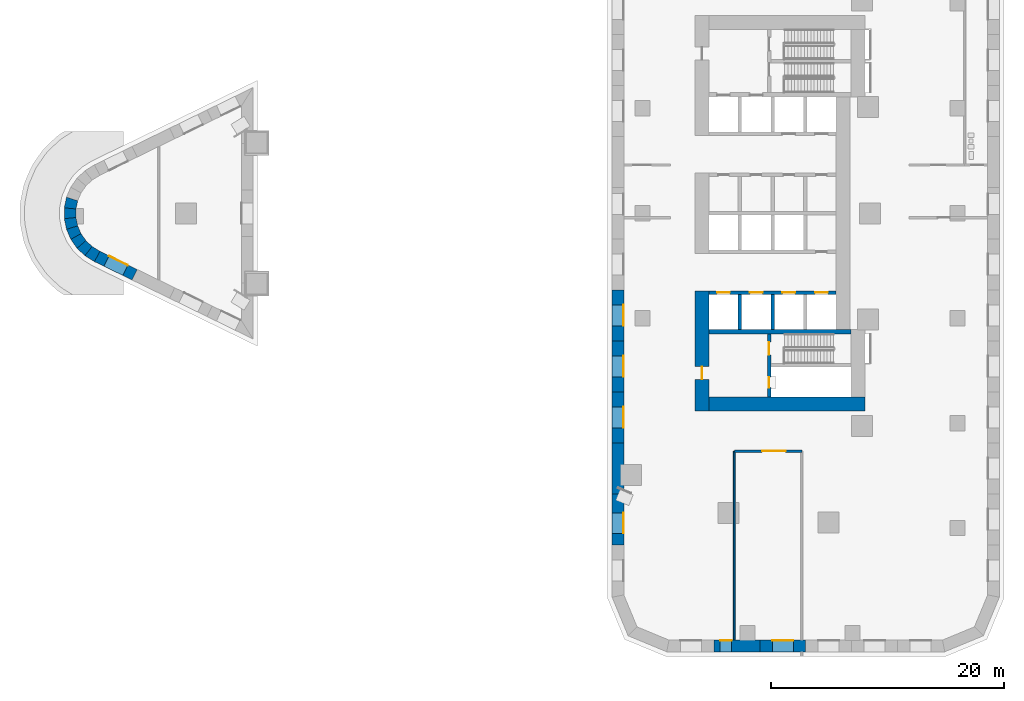
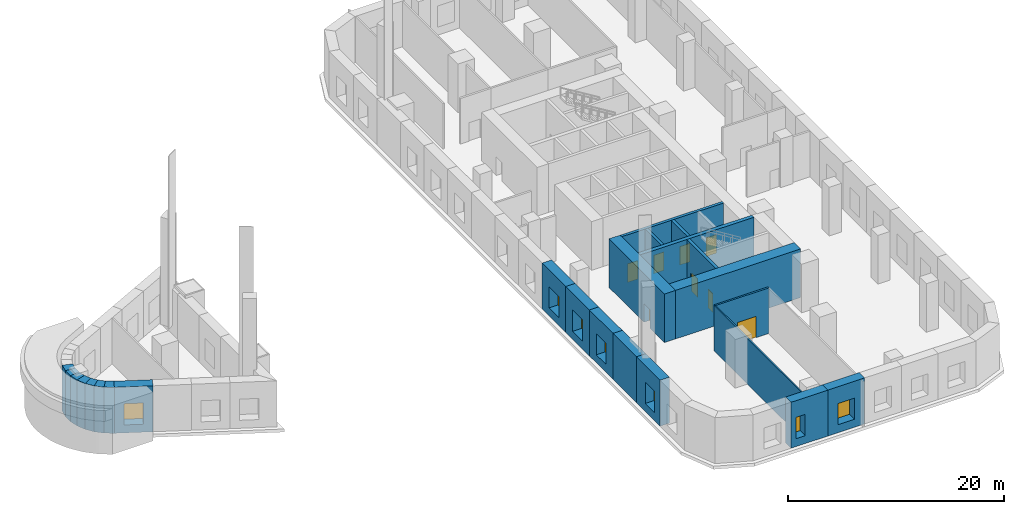
# One storey, part 2 of 12: 24 walls, 8 doors, 7 windows, 15 openings.
"""IFC4 building model written with IfcOpenShell, lengths in metres."""

from ifc_helpers import new_model, si_unit, direction, frame, frame_2d, origin, place, context, subcontext, project, spatial, polyline, rectangle, outline, extrude, material, layer, layer_set, type_object, element, fill, save


model = new_model("IFC4")

# Units and contexts
model_context = context("Model", 3, precision=1e-05, world=origin(), true_north=direction((0.0, 1.0)))
body_context = subcontext(model_context, "Body", "Model", "MODEL_VIEW")
ifc_project = project(units=[si_unit("LENGTHUNIT", "METRE"), si_unit("AREAUNIT", "SQUARE_METRE"), si_unit("VOLUMEUNIT", "CUBIC_METRE"), si_unit("PLANEANGLEUNIT", "RADIAN"), si_unit("MASSUNIT", "GRAM", prefix="KILO")], contexts=[model_context])

# Site, building, storey
site_placement = place(None, origin())
site = spatial("IfcSite", under=ifc_project, at=site_placement, CompositionType="ELEMENT")
building_placement = place(site_placement, origin())
building = spatial("IfcBuilding", under=site, at=building_placement, Name="Ostrand Prow Hotel Tower", CompositionType="ELEMENT")
storey_placement = place(building_placement, frame((0.0, 0.0, 8.0)))
storey = spatial("IfcBuildingStorey", under=building, at=storey_placement, Name="L01", CompositionType="ELEMENT", Elevation=8.0)

# Wall, opening, door
ifc_material_1 = material(Name="Concrete C80/95", Category="concrete")
ifc_layer_1 = layer(ifc_material_1, 1.199951171875)
ifc_layer_set_1 = layer_set([ifc_layer_1], Name="Concrete C80/95")
wall_type_1 = type_object("IfcWallType", Name="Core wall 1200 C80/95", PredefinedType="SHEAR", material=ifc_layer_set_1)
wall_1_placement = place(storey_placement, frame((50.10009765625, -16.949951171875, 0.0), z_axis=(0.0, 0.0, 1.0), x_axis=(0.0, 1.0, 0.0)))
wall_1 = element("IfcWall", 1, at=wall_1_placement, inside=storey, type_object=wall_type_1, Name="Core wall CW-W-S", PredefinedType="SHEAR", context=body_context, shape_type="SweptSolid", body=[
    extrude(rectangle(XDim=10.300048828125, YDim=1.199951171875, at=frame_2d((5.14990234375, 0.0))), origin(), (0.0, 0.0, 1.0), 5.5),
])
opening_1_placement = place(wall_1_placement, frame((2.699951171875, 0.0, 0.0)))
opening_1 = element("IfcOpeningElement", 2, at=opening_1_placement, cuts=wall_1, Name="Opening FD1", PredefinedType="OPENING", context=body_context, shape_type="SweptSolid", body=[
    extrude(rectangle(XDim=1.10009765625, YDim=2.10009765625, at=frame_2d((0.550048828125, 1.050048828125))), frame((0.0, 0.60986328125, 0.0), z_axis=(0.0, -1.0, 0.0), x_axis=(1.0, 0.0, 0.0)), (0.0, 0.0, 1.0), 1.219970703125),
])
ifc_material_2 = material(Name="Steel fire door", Category="steel")
door_type_1 = type_object("IfcDoorType", Name="Fire door 1100 EI120", OperationType="SINGLE_SWING_RIGHT", PredefinedType="DOOR", material=ifc_material_2)
door_1_placement = place(opening_1_placement, origin())
door_1 = element("IfcDoor", 3, at=door_1_placement, inside=storey, type_object=door_type_1, Name="FIRE DOOR", OperationType="SINGLE_SWING_RIGHT", OverallHeight=2.10009765625, OverallWidth=1.10009765625, PredefinedType="DOOR", context=body_context, shape_type="SweptSolid", body=[
    extrude(rectangle(XDim=1.10009765625, YDim=2.10009765625, at=frame_2d((0.550048828125, 1.050048828125))), frame((0.0, 0.02490234375, 0.0), z_axis=(0.0, -1.0, 0.0), x_axis=(1.0, 0.0, 0.0)), (0.0, 0.0, 1.0), 0.050048828125),
])
fill(opening_1, door_1)

# Wall
wall_2_placement = place(storey_placement, frame((50.699951171875, -16.35009765625, 0.0), z_axis=(0.0, 0.0, 1.0), x_axis=(1.0, 0.0, 0.0)))
element("IfcWall", 4, at=wall_2_placement, inside=storey, type_object=wall_type_1, Name="Core wall CW-S", PredefinedType="SHEAR", context=body_context, shape_type="SweptSolid", body=[
    extrude(rectangle(XDim=13.380126953125, YDim=1.199951171875, at=frame_2d((6.68994140625, 0.0))), origin(), (0.0, 0.0, 1.0), 5.5),
])

# Wall, openings, doors
ifc_material_3 = material(Name="Concrete C80/95", Category="concrete")
ifc_layer_2 = layer(ifc_material_3, 0.300048828125)
ifc_layer_set_2 = layer_set([ifc_layer_2], Name="Concrete C80/95")
wall_type_2 = type_object("IfcWallType", Name="Core wall 300 C80/95", PredefinedType="SHEAR", material=ifc_layer_set_2)
wall_3_placement = place(storey_placement, frame((50.699951171875, -6.800048828125, 0.0), z_axis=(0.0, 0.0, 1.0), x_axis=(1.0, 0.0, 0.0)))
wall_3 = element("IfcWall", 5, at=wall_3_placement, inside=storey, type_object=wall_type_2, Name="Core wall PW-L2-S", PredefinedType="SHEAR", context=body_context, shape_type="SweptSolid", body=[
    extrude(rectangle(XDim=10.900146484375, YDim=0.300048828125, at=frame_2d((5.4501953125, 0.0))), origin(), (0.0, 0.0, 1.0), 5.5),
])
opening_2_placement = place(wall_3_placement, frame((0.699951171875, 0.0, 0.0)))
opening_2 = element("IfcOpeningElement", 6, at=opening_2_placement, cuts=wall_3, Name="Opening LD", PredefinedType="OPENING", context=body_context, shape_type="SweptSolid", body=[
    extrude(rectangle(XDim=1.10009765625, YDim=2.10009765625, at=frame_2d((0.550048828125, 1.050048828125))), frame((0.0, 0.159912109375, 0.0), z_axis=(0.0, -1.0, 0.0), x_axis=(1.0, 0.0, 0.0)), (0.0, 0.0, 1.0), 0.320068359375),
])
opening_3_placement = place(wall_3_placement, frame((3.5, 0.0, 0.0)))
opening_3 = element("IfcOpeningElement", 7, at=opening_3_placement, cuts=wall_3, Name="Opening LD", PredefinedType="OPENING", context=body_context, shape_type="SweptSolid", body=[
    extrude(rectangle(XDim=1.10009765625, YDim=2.10009765625, at=frame_2d((0.550048828125, 1.050048828125))), frame((0.0, 0.159912109375, 0.0), z_axis=(0.0, -1.0, 0.0), x_axis=(1.0, 0.0, 0.0)), (0.0, 0.0, 1.0), 0.320068359375),
])
opening_4_placement = place(wall_3_placement, frame((6.300048828125, 0.0, 0.0)))
opening_4 = element("IfcOpeningElement", 8, at=opening_4_placement, cuts=wall_3, Name="Opening LD", PredefinedType="OPENING", context=body_context, shape_type="SweptSolid", body=[
    extrude(rectangle(XDim=1.10009765625, YDim=2.10009765625, at=frame_2d((0.550048828125, 1.050048828125))), frame((0.0, 0.159912109375, 0.0), z_axis=(0.0, -1.0, 0.0), x_axis=(1.0, 0.0, 0.0)), (0.0, 0.0, 1.0), 0.320068359375),
])
opening_5_placement = place(wall_3_placement, frame((9.10009765625, 0.0, 0.0)))
opening_5 = element("IfcOpeningElement", 9, at=opening_5_placement, cuts=wall_3, Name="Opening LD", PredefinedType="OPENING", context=body_context, shape_type="SweptSolid", body=[
    extrude(rectangle(XDim=1.10009765625, YDim=2.10009765625, at=frame_2d((0.550048828125, 1.050048828125))), frame((0.0, 0.159912109375, 0.0), z_axis=(0.0, -1.0, 0.0), x_axis=(1.0, 0.0, 0.0)), (0.0, 0.0, 1.0), 0.320068359375),
])
ifc_material_4 = material(Name="Stainless steel door", Category="steel")
door_type_2 = type_object("IfcDoorType", Name="Lift landing door 1100", OperationType="DOUBLE_DOOR_SLIDING", PredefinedType="DOOR", material=ifc_material_4)
door_2_placement = place(opening_2_placement, origin())
door_2 = element("IfcDoor", 10, at=door_2_placement, inside=storey, type_object=door_type_2, Name="LIFT LANDING DOOR", OperationType="DOUBLE_DOOR_SLIDING", OverallHeight=2.10009765625, OverallWidth=1.10009765625, PredefinedType="DOOR", context=body_context, shape_type="SweptSolid", body=[
    extrude(rectangle(XDim=1.10009765625, YDim=2.10009765625, at=frame_2d((0.550048828125, 1.050048828125))), frame((0.0, 0.02490234375, 0.0), z_axis=(0.0, -1.0, 0.0), x_axis=(1.0, 0.0, 0.0)), (0.0, 0.0, 1.0), 0.050048828125),
])
fill(opening_2, door_2)
door_3_placement = place(opening_3_placement, origin())
door_3 = element("IfcDoor", 11, at=door_3_placement, inside=storey, type_object=door_type_2, Name="LIFT LANDING DOOR", OperationType="DOUBLE_DOOR_SLIDING", OverallHeight=2.10009765625, OverallWidth=1.10009765625, PredefinedType="DOOR", context=body_context, shape_type="SweptSolid", body=[
    extrude(rectangle(XDim=1.10009765625, YDim=2.10009765625, at=frame_2d((0.550048828125, 1.050048828125))), frame((0.0, 0.02490234375, 0.0), z_axis=(0.0, -1.0, 0.0), x_axis=(1.0, 0.0, 0.0)), (0.0, 0.0, 1.0), 0.050048828125),
])
fill(opening_3, door_3)
door_4_placement = place(opening_4_placement, origin())
door_4 = element("IfcDoor", 12, at=door_4_placement, inside=storey, type_object=door_type_2, Name="LIFT LANDING DOOR", OperationType="DOUBLE_DOOR_SLIDING", OverallHeight=2.10009765625, OverallWidth=1.10009765625, PredefinedType="DOOR", context=body_context, shape_type="SweptSolid", body=[
    extrude(rectangle(XDim=1.10009765625, YDim=2.10009765625, at=frame_2d((0.550048828125, 1.050048828125))), frame((0.0, 0.02490234375, 0.0), z_axis=(0.0, -1.0, 0.0), x_axis=(1.0, 0.0, 0.0)), (0.0, 0.0, 1.0), 0.050048828125),
])
fill(opening_4, door_4)
door_5_placement = place(opening_5_placement, origin())
door_5 = element("IfcDoor", 13, at=door_5_placement, inside=storey, type_object=door_type_2, Name="LIFT LANDING DOOR", OperationType="DOUBLE_DOOR_SLIDING", OverallHeight=2.10009765625, OverallWidth=1.10009765625, PredefinedType="DOOR", context=body_context, shape_type="SweptSolid", body=[
    extrude(rectangle(XDim=1.10009765625, YDim=2.10009765625, at=frame_2d((0.550048828125, 1.050048828125))), frame((0.0, 0.02490234375, 0.0), z_axis=(0.0, -1.0, 0.0), x_axis=(1.0, 0.0, 0.0)), (0.0, 0.0, 1.0), 0.050048828125),
])
fill(opening_5, door_5)

# Walls
for number, where, z_axis, x_axis, name in (
    (14, (53.35009765625, -9.949951171875, 0.0), (0.0, 0.0, 1.0), (0.0, 1.0, 0.0), "Core wall PW-R1-SA"),
    (15, (56.14990234375, -9.949951171875, 0.0), (0.0, 0.0, 1.0), (0.0, 1.0, 0.0), "Core wall PW-R2-SA"),
):
    element("IfcWall", number, at=place(storey_placement, frame(where, z_axis=z_axis, x_axis=x_axis)), inside=storey, type_object=wall_type_2, Name=name, PredefinedType="SHEAR", context=body_context, shape_type="SweptSolid", body=[
        extrude(rectangle(XDim=3.0, YDim=0.300048828125, at=frame_2d((1.5, 0.0))), origin(), (0.0, 0.0, 1.0), 5.5),
    ])

# Wall, openings, doors
wall_4_placement = place(storey_placement, frame((55.85009765625, -15.75, 0.0), z_axis=(0.0, 0.0, 1.0), x_axis=(0.0, 1.0, 0.0)))
wall_4 = element("IfcWall", 16, at=wall_4_placement, inside=storey, type_object=wall_type_2, Name="Core wall PW-VS", PredefinedType="SHEAR", context=body_context, shape_type="SweptSolid", body=[
    extrude(rectangle(XDim=5.39990234375, YDim=0.300048828125, at=frame_2d((2.699951171875, 0.0))), origin(), (0.0, 0.0, 1.0), 5.5),
])
opening_6_placement = place(wall_4_placement, frame((3.60009765625, 0.0, 0.0)))
opening_6 = element("IfcOpeningElement", 17, at=opening_6_placement, cuts=wall_4, Name="Opening FD1", PredefinedType="OPENING", context=body_context, shape_type="SweptSolid", body=[
    extrude(rectangle(XDim=1.10009765625, YDim=2.10009765625, at=frame_2d((0.550048828125, 1.050048828125))), frame((0.0, 0.159912109375, 0.0), z_axis=(0.0, -1.0, 0.0), x_axis=(1.0, 0.0, 0.0)), (0.0, 0.0, 1.0), 0.320068359375),
])
opening_7_placement = place(wall_4_placement, frame((0.800048828125, 0.0, 0.0)))
opening_7 = element("IfcOpeningElement", 18, at=opening_7_placement, cuts=wall_4, Name="Opening FD2", PredefinedType="OPENING", context=body_context, shape_type="SweptSolid", body=[
    extrude(rectangle(XDim=0.89990234375, YDim=2.10009765625, at=frame_2d((0.449951171875, 1.050048828125))), frame((0.0, 0.159912109375, 0.0), z_axis=(0.0, -1.0, 0.0), x_axis=(1.0, 0.0, 0.0)), (0.0, 0.0, 1.0), 0.320068359375),
])
door_6_placement = place(opening_6_placement, origin())
door_6 = element("IfcDoor", 19, at=door_6_placement, inside=storey, type_object=door_type_1, Name="FIRE DOOR", OperationType="SINGLE_SWING_RIGHT", OverallHeight=2.10009765625, OverallWidth=1.10009765625, PredefinedType="DOOR", context=body_context, shape_type="SweptSolid", body=[
    extrude(rectangle(XDim=1.10009765625, YDim=2.10009765625, at=frame_2d((0.550048828125, 1.050048828125))), frame((0.0, 0.02490234375, 0.0), z_axis=(0.0, -1.0, 0.0), x_axis=(1.0, 0.0, 0.0)), (0.0, 0.0, 1.0), 0.050048828125),
])
fill(opening_6, door_6)
ifc_material_5 = material(Name="Steel fire door", Category="steel")
door_type_3 = type_object("IfcDoorType", Name="Fire door 900 EI120", OperationType="SINGLE_SWING_LEFT", PredefinedType="DOOR", material=ifc_material_5)
door_7_placement = place(opening_7_placement, origin())
door_7 = element("IfcDoor", 20, at=door_7_placement, inside=storey, type_object=door_type_3, Name="FIRE DOOR", OperationType="SINGLE_SWING_LEFT", OverallHeight=2.10009765625, OverallWidth=0.89990234375, PredefinedType="DOOR", context=body_context, shape_type="SweptSolid", body=[
    extrude(rectangle(XDim=0.89990234375, YDim=2.10009765625, at=frame_2d((0.449951171875, 1.050048828125))), frame((0.0, 0.02490234375, 0.0), z_axis=(0.0, -1.0, 0.0), x_axis=(1.0, 0.0, 0.0)), (0.0, 0.0, 1.0), 0.050048828125),
])
fill(opening_7, door_7)

# Walls
ifc_material_6 = material(Name="Concrete C80/95", Category="concrete")
ifc_layer_3 = layer(ifc_material_6, 0.39990234375)
ifc_layer_set_3 = layer_set([ifc_layer_3], Name="Concrete C80/95")
wall_type_3 = type_object("IfcWallType", Name="Core wall 400 C80/95", PredefinedType="SHEAR", material=ifc_layer_set_3)
wall_5_placement = place(storey_placement, frame((50.699951171875, -10.14990234375, 0.0), z_axis=(0.0, 0.0, 1.0), x_axis=(1.0, 0.0, 0.0)))
element("IfcWall", 21, at=wall_5_placement, inside=storey, type_object=wall_type_3, Name="Core wall PW-BS", PredefinedType="SHEAR", context=body_context, shape_type="SweptSolid", body=[
    extrude(rectangle(XDim=12.179931640625, YDim=0.39990234375, at=frame_2d((6.08984375, 0.0))), origin(), (0.0, 0.0, 1.0), 5.5),
])
ifc_material_7 = material(Name="Plasterboard partition")
ifc_layer_4 = layer(ifc_material_7, 0.14990234375)
ifc_layer_set_4 = layer_set([ifc_layer_4], Name="Plasterboard partition")
wall_type_4 = type_object("IfcWallType", Name="Partition 150 room partition", PredefinedType="PARTITIONING", material=ifc_layer_set_4)
wall_6_placement = place(storey_placement, frame((52.8798828125, -36.570068359375, 0.0), z_axis=(0.0, 0.0, 1.0), x_axis=(0.0, 1.0, 0.0)))
element("IfcWall", 22, at=wall_6_placement, inside=storey, type_object=wall_type_4, Name="ROOM PARTITION", PredefinedType="PARTITIONING", context=body_context, shape_type="SweptSolid", body=[
    extrude(rectangle(XDim=16.170166015625, YDim=0.14990234375, at=frame_2d((8.0849609375, 0.0))), origin(), (0.0, 0.0, 1.0), 5.14990234375),
])

# Wall, opening, door
ifc_material_8 = material(Name="Plasterboard partition")
ifc_layer_5 = layer(ifc_material_8, 0.199951171875)
ifc_layer_set_5 = layer_set([ifc_layer_5], Name="Plasterboard partition")
wall_type_5 = type_object("IfcWallType", Name="Partition 200 corridor wall", PredefinedType="PARTITIONING", material=ifc_layer_set_5)
wall_7_placement = place(storey_placement, frame((52.8798828125, -20.39990234375, 0.0), z_axis=(0.0, 0.0, 1.0), x_axis=(1.0, 0.0, 0.0)))
wall_7 = element("IfcWall", 23, at=wall_7_placement, inside=storey, type_object=wall_type_5, Name="CORRIDOR WALL", PredefinedType="PARTITIONING", context=body_context, shape_type="SweptSolid", body=[
    extrude(rectangle(XDim=5.780029296875, YDim=0.199951171875, at=frame_2d((2.89013671875, 0.0))), origin(), (0.0, 0.0, 1.0), 5.14990234375),
])
opening_8_placement = place(wall_7_placement, frame((2.389892578125, 0.0, 0.0)))
opening_8 = element("IfcOpeningElement", 24, at=opening_8_placement, cuts=wall_7, Name="Opening D20", PredefinedType="OPENING", context=body_context, shape_type="SweptSolid", body=[
    extrude(rectangle(XDim=2.0, YDim=2.39990234375, at=frame_2d((1.0, 1.199951171875))), frame((0.0, 0.10986328125, 0.0), z_axis=(0.0, -1.0, 0.0), x_axis=(1.0, 0.0, 0.0)), (0.0, 0.0, 1.0), 0.219970703125),
])
ifc_material_9 = material(Name="Timber door leaf", Category="wood")
door_type_4 = type_object("IfcDoorType", Name="Double door 2000", OperationType="DOUBLE_DOOR_SINGLE_SWING", PredefinedType="DOOR", material=ifc_material_9)
door_8_placement = place(opening_8_placement, origin())
door_8 = element("IfcDoor", 25, at=door_8_placement, inside=storey, type_object=door_type_4, Name="DOOR", OperationType="DOUBLE_DOOR_SINGLE_SWING", OverallHeight=2.39990234375, OverallWidth=2.0, PredefinedType="DOOR", context=body_context, shape_type="SweptSolid", body=[
    extrude(rectangle(XDim=2.0, YDim=2.39990234375, at=frame_2d((1.0, 1.199951171875))), frame((0.0, 0.02490234375, 0.0), z_axis=(0.0, -1.0, 0.0), x_axis=(1.0, 0.0, 0.0)), (0.0, 0.0, 1.0), 0.050048828125),
])
fill(opening_8, door_8)

# Walls
ifc_material_10 = material(Name="Precast concrete C40/50", Category="concrete")
ifc_layer_6 = layer(ifc_material_10, 1.0)
ifc_layer_set_6 = layer_set([ifc_layer_6], Name="Precast concrete C40/50")
wall_type_6 = type_object("IfcWallType", Name="Portal pier wall 1000 mm", PredefinedType="NOTDEFINED", material=ifc_layer_set_6)
wall_8_placement = place(storey_placement, frame((-3.90673828125, 1.228515625, 0.0), z_axis=(0.0, 0.0, 1.0), x_axis=(-0.201710996138, -0.979445084748, 0.0)))
element("IfcWall", 26, at=wall_8_placement, inside=storey, type_object=wall_type_6, Name="Portal pier wall L01-PP013", PredefinedType="NOTDEFINED", context=body_context, shape_type="SweptSolid", body=[
    extrude(outline(polyline([(-0.051025390625, -0.5), (0.88134765625, -0.5), (0.779296875, 0.5), (0.051025390625, 0.5), (-0.051025390625, -0.5)])), origin(), (0.0, 0.0, 1.0), 5.199951171875),
])
wall_9_placement = place(storey_placement, frame((-4.07421875, 0.415283203125, 0.0), z_axis=(0.0, 0.0, 1.0), x_axis=(0.0, -1.0, 0.0)))
element("IfcWall", 27, at=wall_9_placement, inside=storey, type_object=wall_type_6, Name="Portal pier wall L01-PP014", PredefinedType="NOTDEFINED", context=body_context, shape_type="SweptSolid", body=[
    extrude(outline(polyline([(-0.051025390625, -0.5), (0.881591796875, -0.5), (0.779541015625, 0.5), (0.051025390625, 0.5), (-0.051025390625, -0.5)])), origin(), (0.0, 0.0, 1.0), 5.199951171875),
])
wall_10_placement = place(storey_placement, frame((-4.07421875, -0.415283203125, 0.0), z_axis=(0.0, 0.0, 1.0), x_axis=(0.201710996138, -0.979445084748, 0.0)))
element("IfcWall", 28, at=wall_10_placement, inside=storey, type_object=wall_type_6, Name="Portal pier wall L01-PP015", PredefinedType="NOTDEFINED", context=body_context, shape_type="SweptSolid", body=[
    extrude(outline(polyline([(-0.051025390625, -0.5), (0.88134765625, -0.5), (0.779296875, 0.5), (0.051025390625, 0.5), (-0.051025390625, -0.5)])), origin(), (0.0, 0.0, 1.0), 5.199951171875),
])
wall_11_placement = place(storey_placement, frame((-3.90673828125, -1.228515625, 0.0), z_axis=(0.0, 0.0, 1.0), x_axis=(0.395089773053, -0.91864251547, 0.0)))
element("IfcWall", 29, at=wall_11_placement, inside=storey, type_object=wall_type_6, Name="Portal pier wall L01-PP016", PredefinedType="NOTDEFINED", context=body_context, shape_type="SweptSolid", body=[
    extrude(outline(polyline([(-0.051025390625, -0.5), (0.881591796875, -0.5), (0.779541015625, 0.5), (0.051025390625, 0.5), (-0.051025390625, -0.5)])), origin(), (0.0, 0.0, 1.0), 5.199951171875),
])
wall_12_placement = place(storey_placement, frame((-3.57861328125, -1.991455078125, 0.0), z_axis=(0.0, 0.0, 1.0), x_axis=(0.572416108775, -0.819963290895, 0.0)))
element("IfcWall", 30, at=wall_12_placement, inside=storey, type_object=wall_type_6, Name="Portal pier wall L01-PP017", PredefinedType="NOTDEFINED", context=body_context, shape_type="SweptSolid", body=[
    extrude(outline(polyline([(-0.051025390625, -0.5), (0.88134765625, -0.5), (0.779296875, 0.5), (0.051025390625, 0.5), (-0.051025390625, -0.5)])), origin(), (0.0, 0.0, 1.0), 5.199951171875),
])
wall_13_placement = place(storey_placement, frame((-3.103271484375, -2.67236328125, 0.0), z_axis=(0.0, 0.0, 1.0), x_axis=(0.726099436492, -0.687589709293, 0.0)))
element("IfcWall", 31, at=wall_13_placement, inside=storey, type_object=wall_type_6, Name="Portal pier wall L01-PP018", PredefinedType="NOTDEFINED", context=body_context, shape_type="SweptSolid", body=[
    extrude(outline(polyline([(-0.051025390625, -0.5), (0.881591796875, -0.5), (0.779541015625, 0.5), (0.051025390625, 0.5), (-0.051025390625, -0.5)])), origin(), (0.0, 0.0, 1.0), 5.199951171875),
])
wall_14_placement = place(storey_placement, frame((-2.500244140625, -3.243408203125, 0.0), z_axis=(0.0, 0.0, 1.0), x_axis=(0.849777890555, -0.527140907846, 0.0)))
element("IfcWall", 32, at=wall_14_placement, inside=storey, type_object=wall_type_6, Name="Portal pier wall L01-PP019", PredefinedType="NOTDEFINED", context=body_context, shape_type="SweptSolid", body=[
    extrude(outline(polyline([(-0.051025390625, -0.5), (0.901611328125, -0.5), (0.850830078125, 0.5), (0.051025390625, 0.5), (-0.051025390625, -0.5)])), origin(), (0.0, 0.0, 1.0), 5.199951171875),
])

# Wall, opening, window
wall_15_placement = place(storey_placement, frame((-1.755615234375, -3.705322265625, 0.0), z_axis=(0.0, 0.0, 1.0), x_axis=(0.898874723623, -0.438205695117, 0.0)))
wall_15 = element("IfcWall", 33, at=wall_15_placement, inside=storey, type_object=wall_type_6, Name="Portal pier wall L01-PP020", PredefinedType="NOTDEFINED", context=body_context, shape_type="SweptSolid", body=[
    extrude(outline(polyline([(-0.025390625, -0.5), (3.57568359375, -0.5), (3.57568359375, 0.5), (0.025390625, 0.5), (-0.025390625, -0.5)])), origin(), (0.0, 0.0, 1.0), 5.199951171875),
])
opening_9_placement = place(wall_15_placement, frame((0.8876953125, 0.0, 0.89990234375)))
opening_9 = element("IfcOpeningElement", 34, at=opening_9_placement, cuts=wall_15, Name="Opening WP2", PredefinedType="OPENING", context=body_context, shape_type="SweptSolid", body=[
    extrude(rectangle(XDim=1.800048828125, YDim=2.39990234375, at=frame_2d((0.89990234375, 1.199951171875))), frame((0.0, 0.510009765625, 0.0), z_axis=(0.0, -1.0, 0.0), x_axis=(1.0, 0.0, 0.0)), (0.0, 0.0, 1.0), 1.02001953125),
])
ifc_material_11 = material(Name="Insulated glass in bronze anodised frame", Category="glass")
window_type = type_object("IfcWindowType", Name="Portal window 1800x2400", PartitioningType="SINGLE_PANEL", PredefinedType="WINDOW", material=ifc_material_11)
window_1_placement = place(opening_9_placement, origin())
window_1 = element("IfcWindow", 35, at=window_1_placement, inside=storey, type_object=window_type, Name="Portal window L01-PP020", OverallHeight=2.39990234375, OverallWidth=1.800048828125, PartitioningType="SINGLE_PANEL", PredefinedType="WINDOW", context=body_context, shape_type="SweptSolid", body=[
    extrude(rectangle(XDim=1.800048828125, YDim=2.39990234375, at=frame_2d((0.89990234375, 1.199951171875))), frame((0.0, 0.5, 0.0), z_axis=(0.0, -1.0, 0.0), x_axis=(1.0, 0.0, 0.0)), (0.0, 0.0, 1.0), 0.06005859375),
])
fill(opening_9, window_1)

wall_16_placement = place(storey_placement, frame((51.119384765625, -37.10009765625, 0.0), z_axis=(0.0, 0.0, 1.0), x_axis=(1.0, 0.0, 0.0)))
wall_16 = element("IfcWall", 36, at=wall_16_placement, inside=storey, type_object=wall_type_6, Name="Portal pier wall L01-PP101", PredefinedType="NOTDEFINED", context=body_context, shape_type="SweptSolid", body=[
    extrude(outline(polyline([(0.0, -0.5), (3.9404296875, -0.5), (3.9404296875, 0.5), (0.0, 0.5), (0.0, -0.5)])), origin(), (0.0, 0.0, 1.0), 5.199951171875),
])
opening_10_placement = place(wall_16_placement, frame((0.5400390625, 0.0, 0.89990234375)))
opening_10 = element("IfcOpeningElement", 37, at=opening_10_placement, cuts=wall_16, Name="Opening WP2", PredefinedType="OPENING", context=body_context, shape_type="SweptSolid", body=[
    extrude(rectangle(XDim=0.980712890625, YDim=2.39990234375, at=frame_2d((0.490234375, 1.199951171875))), frame((0.0, 0.510009765625, 0.0), z_axis=(0.0, -1.0, 0.0), x_axis=(1.0, 0.0, 0.0)), (0.0, 0.0, 1.0), 1.02001953125),
])
window_2_placement = place(opening_10_placement, origin())
window_2 = element("IfcWindow", 38, at=window_2_placement, inside=storey, type_object=window_type, Name="Portal window L01-PP101", OverallHeight=2.39990234375, OverallWidth=0.980712890625, PartitioningType="SINGLE_PANEL", PredefinedType="WINDOW", context=body_context, shape_type="SweptSolid", body=[
    extrude(rectangle(XDim=0.980712890625, YDim=2.39990234375, at=frame_2d((0.490234375, 1.199951171875))), frame((0.0, 0.5, 0.0), z_axis=(0.0, -1.0, 0.0), x_axis=(1.0, 0.0, 0.0)), (0.0, 0.0, 1.0), 0.06005859375),
])
fill(opening_10, window_2)

wall_17_placement = place(storey_placement, frame((55.059814453125, -37.10009765625, 0.0), z_axis=(0.0, 0.0, 1.0), x_axis=(1.0, 0.0, 0.0)))
wall_17 = element("IfcWall", 39, at=wall_17_placement, inside=storey, type_object=wall_type_6, Name="Portal pier wall L01-PP102", PredefinedType="NOTDEFINED", context=body_context, shape_type="SweptSolid", body=[
    extrude(outline(polyline([(0.0, -0.5), (3.940185546875, -0.5), (3.940185546875, 0.5), (0.0, 0.5), (0.0, -0.5)])), origin(), (0.0, 0.0, 1.0), 5.199951171875),
])
opening_11_placement = place(wall_17_placement, frame((1.0703125, 0.0, 0.89990234375)))
opening_11 = element("IfcOpeningElement", 40, at=opening_11_placement, cuts=wall_17, Name="Opening WP2", PredefinedType="OPENING", context=body_context, shape_type="SweptSolid", body=[
    extrude(rectangle(XDim=1.800048828125, YDim=2.39990234375, at=frame_2d((0.89990234375, 1.199951171875))), frame((0.0, 0.510009765625, 0.0), z_axis=(0.0, -1.0, 0.0), x_axis=(1.0, 0.0, 0.0)), (0.0, 0.0, 1.0), 1.02001953125),
])
window_3_placement = place(opening_11_placement, origin())
window_3 = element("IfcWindow", 41, at=window_3_placement, inside=storey, type_object=window_type, Name="Portal window L01-PP102", OverallHeight=2.39990234375, OverallWidth=1.800048828125, PartitioningType="SINGLE_PANEL", PredefinedType="WINDOW", context=body_context, shape_type="SweptSolid", body=[
    extrude(rectangle(XDim=1.800048828125, YDim=2.39990234375, at=frame_2d((0.89990234375, 1.199951171875))), frame((0.0, 0.5, 0.0), z_axis=(0.0, -1.0, 0.0), x_axis=(1.0, 0.0, 0.0)), (0.0, 0.0, 1.0), 0.06005859375),
])
fill(opening_11, window_3)

wall_18_placement = place(storey_placement, frame((42.89990234375, -6.564208984375, 0.0), z_axis=(0.0, 0.0, 1.0), x_axis=(0.0, -1.0, 0.0)))
wall_18 = element("IfcWall", 42, at=wall_18_placement, inside=storey, type_object=wall_type_6, Name="Portal pier wall L01-PP142", PredefinedType="NOTDEFINED", context=body_context, shape_type="SweptSolid", body=[
    extrude(outline(polyline([(0.0, -0.5), (4.3759765625, -0.5), (4.3759765625, 0.5), (0.0, 0.5), (0.0, -0.5)])), origin(), (0.0, 0.0, 1.0), 5.199951171875),
])
opening_12_placement = place(wall_18_placement, frame((1.2880859375, 0.0, 0.89990234375)))
opening_12 = element("IfcOpeningElement", 43, at=opening_12_placement, cuts=wall_18, Name="Opening WP2", PredefinedType="OPENING", context=body_context, shape_type="SweptSolid", body=[
    extrude(rectangle(XDim=1.800048828125, YDim=2.39990234375, at=frame_2d((0.89990234375, 1.199951171875))), frame((0.0, 0.510009765625, 0.0), z_axis=(0.0, -1.0, 0.0), x_axis=(1.0, 0.0, 0.0)), (0.0, 0.0, 1.0), 1.02001953125),
])
window_4_placement = place(opening_12_placement, origin())
window_4 = element("IfcWindow", 44, at=window_4_placement, inside=storey, type_object=window_type, Name="Portal window L01-PP142", OverallHeight=2.39990234375, OverallWidth=1.800048828125, PartitioningType="SINGLE_PANEL", PredefinedType="WINDOW", context=body_context, shape_type="SweptSolid", body=[
    extrude(rectangle(XDim=1.800048828125, YDim=2.39990234375, at=frame_2d((0.89990234375, 1.199951171875))), frame((0.0, 0.5, 0.0), z_axis=(0.0, -1.0, 0.0), x_axis=(1.0, 0.0, 0.0)), (0.0, 0.0, 1.0), 0.06005859375),
])
fill(opening_12, window_4)

wall_19_placement = place(storey_placement, frame((42.89990234375, -10.940185546875, 0.0), z_axis=(0.0, 0.0, 1.0), x_axis=(0.0, -1.0, 0.0)))
wall_19 = element("IfcWall", 45, at=wall_19_placement, inside=storey, type_object=wall_type_6, Name="Portal pier wall L01-PP143", PredefinedType="NOTDEFINED", context=body_context, shape_type="SweptSolid", body=[
    extrude(outline(polyline([(0.0, -0.5), (4.376220703125, -0.5), (4.376220703125, 0.5), (0.0, 0.5), (0.0, -0.5)])), origin(), (0.0, 0.0, 1.0), 5.199951171875),
])
opening_13_placement = place(wall_19_placement, frame((1.2880859375, 0.0, 0.89990234375)))
opening_13 = element("IfcOpeningElement", 46, at=opening_13_placement, cuts=wall_19, Name="Opening WP2", PredefinedType="OPENING", context=body_context, shape_type="SweptSolid", body=[
    extrude(rectangle(XDim=1.800048828125, YDim=2.39990234375, at=frame_2d((0.89990234375, 1.199951171875))), frame((0.0, 0.510009765625, 0.0), z_axis=(0.0, -1.0, 0.0), x_axis=(1.0, 0.0, 0.0)), (0.0, 0.0, 1.0), 1.02001953125),
])
window_5_placement = place(opening_13_placement, origin())
window_5 = element("IfcWindow", 47, at=window_5_placement, inside=storey, type_object=window_type, Name="Portal window L01-PP143", OverallHeight=2.39990234375, OverallWidth=1.800048828125, PartitioningType="SINGLE_PANEL", PredefinedType="WINDOW", context=body_context, shape_type="SweptSolid", body=[
    extrude(rectangle(XDim=1.800048828125, YDim=2.39990234375, at=frame_2d((0.89990234375, 1.199951171875))), frame((0.0, 0.5, 0.0), z_axis=(0.0, -1.0, 0.0), x_axis=(1.0, 0.0, 0.0)), (0.0, 0.0, 1.0), 0.06005859375),
])
fill(opening_13, window_5)

wall_20_placement = place(storey_placement, frame((42.89990234375, -15.31640625, 0.0), z_axis=(0.0, 0.0, 1.0), x_axis=(0.0, -1.0, 0.0)))
wall_20 = element("IfcWall", 48, at=wall_20_placement, inside=storey, type_object=wall_type_6, Name="Portal pier wall L01-PP144", PredefinedType="NOTDEFINED", context=body_context, shape_type="SweptSolid", body=[
    extrude(outline(polyline([(0.0, -0.5), (4.376220703125, -0.5), (4.376220703125, 0.5), (0.0, 0.5), (0.0, -0.5)])), origin(), (0.0, 0.0, 1.0), 5.199951171875),
])
opening_14_placement = place(wall_20_placement, frame((1.2880859375, 0.0, 0.89990234375)))
opening_14 = element("IfcOpeningElement", 49, at=opening_14_placement, cuts=wall_20, Name="Opening WP2", PredefinedType="OPENING", context=body_context, shape_type="SweptSolid", body=[
    extrude(rectangle(XDim=1.800048828125, YDim=2.39990234375, at=frame_2d((0.89990234375, 1.199951171875))), frame((0.0, 0.510009765625, 0.0), z_axis=(0.0, -1.0, 0.0), x_axis=(1.0, 0.0, 0.0)), (0.0, 0.0, 1.0), 1.02001953125),
])
window_6_placement = place(opening_14_placement, origin())
window_6 = element("IfcWindow", 50, at=window_6_placement, inside=storey, type_object=window_type, Name="Portal window L01-PP144", OverallHeight=2.39990234375, OverallWidth=1.800048828125, PartitioningType="SINGLE_PANEL", PredefinedType="WINDOW", context=body_context, shape_type="SweptSolid", body=[
    extrude(rectangle(XDim=1.800048828125, YDim=2.39990234375, at=frame_2d((0.89990234375, 1.199951171875))), frame((0.0, 0.5, 0.0), z_axis=(0.0, -1.0, 0.0), x_axis=(1.0, 0.0, 0.0)), (0.0, 0.0, 1.0), 0.06005859375),
])
fill(opening_14, window_6)

# Wall
wall_21_placement = place(storey_placement, frame((42.89990234375, -19.692626953125, 0.0), z_axis=(0.0, 0.0, 1.0), x_axis=(0.0, -1.0, 0.0)))
element("IfcWall", 51, at=wall_21_placement, inside=storey, type_object=wall_type_6, Name="Portal pier wall L01-PP145", PredefinedType="NOTDEFINED", context=body_context, shape_type="SweptSolid", body=[
    extrude(outline(polyline([(0.0, -0.5), (4.3759765625, -0.5), (4.3759765625, 0.5), (0.0, 0.5), (0.0, -0.5)])), origin(), (0.0, 0.0, 1.0), 5.199951171875),
])

# Wall, opening, window
wall_22_placement = place(storey_placement, frame((42.89990234375, -24.068603515625, 0.0), z_axis=(0.0, 0.0, 1.0), x_axis=(0.0, -1.0, 0.0)))
wall_22 = element("IfcWall", 52, at=wall_22_placement, inside=storey, type_object=wall_type_6, Name="Portal pier wall L01-PP146", PredefinedType="NOTDEFINED", context=body_context, shape_type="SweptSolid", body=[
    extrude(outline(polyline([(0.0, -0.5), (4.376220703125, -0.5), (4.376220703125, 0.5), (0.0, 0.5), (0.0, -0.5)])), origin(), (0.0, 0.0, 1.0), 5.199951171875),
])
opening_15_placement = place(wall_22_placement, frame((1.615478515625, 0.0, 0.89990234375)))
opening_15 = element("IfcOpeningElement", 53, at=opening_15_placement, cuts=wall_22, Name="Opening WP2", PredefinedType="OPENING", context=body_context, shape_type="SweptSolid", body=[
    extrude(rectangle(XDim=1.760498046875, YDim=2.39990234375, at=frame_2d((0.88037109375, 1.199951171875))), frame((0.0, 0.510009765625, 0.0), z_axis=(0.0, -1.0, 0.0), x_axis=(1.0, 0.0, 0.0)), (0.0, 0.0, 1.0), 1.02001953125),
])
window_7_placement = place(opening_15_placement, origin())
window_7 = element("IfcWindow", 54, at=window_7_placement, inside=storey, type_object=window_type, Name="Portal window L01-PP146", OverallHeight=2.39990234375, OverallWidth=1.760498046875, PartitioningType="SINGLE_PANEL", PredefinedType="WINDOW", context=body_context, shape_type="SweptSolid", body=[
    extrude(rectangle(XDim=1.760498046875, YDim=2.39990234375, at=frame_2d((0.88037109375, 1.199951171875))), frame((0.0, 0.5, 0.0), z_axis=(0.0, -1.0, 0.0), x_axis=(1.0, 0.0, 0.0)), (0.0, 0.0, 1.0), 0.06005859375),
])
fill(opening_15, window_7)

save(model, "model.ifc")
